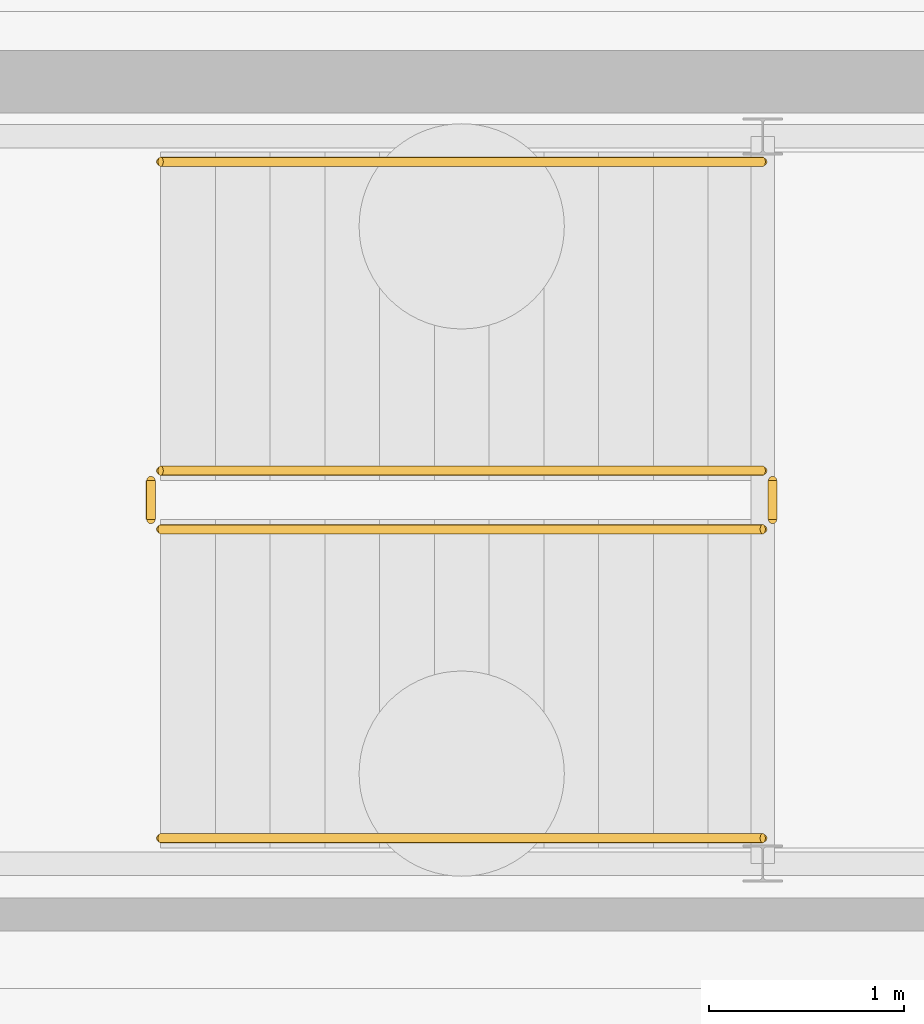
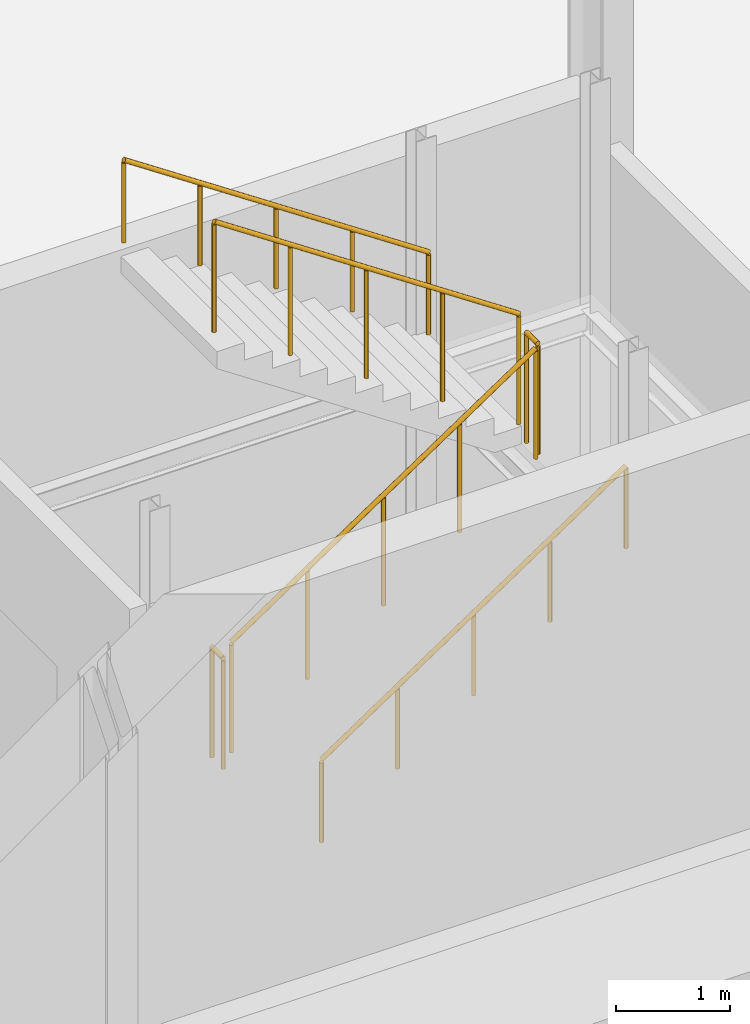
# One storey, part 45 of 47: 6 railings.
"""IFC4 building model written with IfcOpenShell, lengths in metres."""

from ifc_helpers import new_model, si_unit, direction, frame, origin, origin_2d, place, context, subcontext, project, spatial, circle, extrude, material, type_object, element, save


model = new_model("IFC4")

# Units and contexts
model_context = context("Model", 3, precision=1e-05, world=origin(), true_north=direction((0.0, 1.0)))
body_context = subcontext(model_context, "Body", "Model", "MODEL_VIEW")
ifc_project = project(units=[si_unit("LENGTHUNIT", "METRE"), si_unit("AREAUNIT", "SQUARE_METRE"), si_unit("VOLUMEUNIT", "CUBIC_METRE"), si_unit("PLANEANGLEUNIT", "RADIAN"), si_unit("MASSUNIT", "GRAM", prefix="KILO")], contexts=[model_context])

# Site, building, storey
site_placement = place(None, origin())
site = spatial("IfcSite", under=ifc_project, at=site_placement, CompositionType="ELEMENT")
building_placement = place(site_placement, origin())
building = spatial("IfcBuilding", under=site, at=building_placement, Name="Alderhovde Museum", CompositionType="ELEMENT")
storey_placement = place(building_placement, frame((0.0, 0.0, -4.5)))
storey = spatial("IfcBuildingStorey", under=building, at=storey_placement, Name="B1", CompositionType="ELEMENT", Elevation=-4.5)

# Railings
ifc_material_1 = material(Name="Painted Steel S355 Guardrail", Category="steel")
railing_type_1 = type_object("IfcRailingType", Name="RL-GUARD-1200", PredefinedType="GUARDRAIL", material=ifc_material_1)
railing_1_placement = place(storey_placement, frame((127.679931640625, 74.830078125, 0.1875)))
element("IfcRailing", 1, at=railing_1_placement, inside=storey, type_object=railing_type_1, Name="B1 ST4 stair guard 1", PredefinedType="GUARDRAIL", context=body_context, shape_type="SweptSolid", body=[
    extrude(circle(Radius=0.02392578125, at=origin_2d()), frame((0.0, 0.0, 1.17578125), z_axis=(0.830913701846, 0.0, 0.55640131208), x_axis=(0.0, 1.0, 0.0)), (0.0, 0.0, 1.0), 3.706787109375),
    extrude(circle(Radius=0.02099609375, at=origin_2d()), origin(), (0.0, 0.0, 1.0), 1.15185546875),
    extrude(circle(Radius=0.02099609375, at=origin_2d()), frame((0.77001953125, 0.0, 0.515625)), (0.0, 0.0, 1.0), 1.15185546875),
    extrude(circle(Radius=0.02099609375, at=origin_2d()), frame((1.5400390625, 0.0, 1.03125)), (0.0, 0.0, 1.0), 1.15185546875),
    extrude(circle(Radius=0.02099609375, at=origin_2d()), frame((2.31005859375, 0.0, 1.546875)), (0.0, 0.0, 1.0), 1.15185546875),
    extrude(circle(Radius=0.02099609375, at=origin_2d()), frame((3.080078125, 0.0, 2.0625)), (0.0, 0.0, 1.0), 1.15185546875),
])
railing_2_placement = place(storey_placement, frame((130.81005859375, 74.8798828125, 2.25)))
element("IfcRailing", 2, at=railing_2_placement, inside=storey, type_object=railing_type_1, Name="B1 ST4 stair guard 2", PredefinedType="GUARDRAIL", context=body_context, shape_type="SweptSolid", body=[
    extrude(circle(Radius=0.02392578125, at=origin_2d()), frame((0.0, 0.0, 1.17578125), z_axis=(0.0, 1.0, 0.0), x_axis=(-1.0, 0.0, 0.0)), (0.0, 0.0, 1.0), 0.2001953125),
    extrude(circle(Radius=0.02099609375, at=origin_2d()), origin(), (0.0, 0.0, 1.0), 1.15185546875),
    extrude(circle(Radius=0.02099609375, at=origin_2d()), frame((0.0, 0.2001953125, 0.0)), (0.0, 0.0, 1.0), 1.15185546875),
])
railing_3_placement = place(storey_placement, frame((130.760009765625, 75.1298828125, 2.4375)))
element("IfcRailing", 3, at=railing_3_placement, inside=storey, type_object=railing_type_1, Name="B1 ST4 stair guard 3", PredefinedType="GUARDRAIL", context=body_context, shape_type="SweptSolid", body=[
    extrude(circle(Radius=0.02392578125, at=origin_2d()), frame((0.0, 0.0, 1.17578125), z_axis=(-0.830913701846, 0.0, 0.55640131208), x_axis=(0.0, -1.0, 0.0)), (0.0, 0.0, 1.0), 3.706787109375),
    extrude(circle(Radius=0.02099609375, at=origin_2d()), origin(), (0.0, 0.0, 1.0), 1.15185546875),
    extrude(circle(Radius=0.02099609375, at=origin_2d()), frame((-0.77001953125, 0.0, 0.515625)), (0.0, 0.0, 1.0), 1.15185546875),
    extrude(circle(Radius=0.02099609375, at=origin_2d()), frame((-1.5400390625, 0.0, 1.03125)), (0.0, 0.0, 1.0), 1.15185546875),
    extrude(circle(Radius=0.02099609375, at=origin_2d()), frame((-2.31005859375, 0.0, 1.546875)), (0.0, 0.0, 1.0), 1.15185546875),
    extrude(circle(Radius=0.02099609375, at=origin_2d()), frame((-3.080078125, 0.0, 2.0625)), (0.0, 0.0, 1.0), 1.15185546875),
])
railing_4_placement = place(storey_placement, frame((127.6298828125, 74.8798828125, 0.0)))
element("IfcRailing", 4, at=railing_4_placement, inside=storey, type_object=railing_type_1, Name="B1 ST4 stair guard 4", PredefinedType="GUARDRAIL", context=body_context, shape_type="SweptSolid", body=[
    extrude(circle(Radius=0.02392578125, at=origin_2d()), frame((0.0, 0.0, 1.17578125), z_axis=(0.0, 1.0, 0.0), x_axis=(-1.0, 0.0, 0.0)), (0.0, 0.0, 1.0), 0.2001953125),
    extrude(circle(Radius=0.02099609375, at=origin_2d()), origin(), (0.0, 0.0, 1.0), 1.15185546875),
    extrude(circle(Radius=0.02099609375, at=origin_2d()), frame((0.0, 0.2001953125, 0.0)), (0.0, 0.0, 1.0), 1.15185546875),
])
ifc_material_2 = material(Name="Brushed Stainless Steel Handrail", Category="steel")
railing_type_2 = type_object("IfcRailingType", Name="RL-HANDRAIL-900", PredefinedType="HANDRAIL", material=ifc_material_2)
railing_5_placement = place(storey_placement, frame((127.679931640625, 73.25, 0.1875)))
element("IfcRailing", 5, at=railing_5_placement, inside=storey, type_object=railing_type_2, Name="B1 ST4 stair handrail 1", PredefinedType="HANDRAIL", context=body_context, shape_type="SweptSolid", body=[
    extrude(circle(Radius=0.02392578125, at=origin_2d()), frame((0.0, 0.0, 0.8759765625), z_axis=(0.830913701846, 0.0, 0.55640131208), x_axis=(0.0, 1.0, 0.0)), (0.0, 0.0, 1.0), 3.706787109375),
    extrude(circle(Radius=0.02099609375, at=origin_2d()), origin(), (0.0, 0.0, 1.0), 0.851806640625),
    extrude(circle(Radius=0.02099609375, at=origin_2d()), frame((0.77001953125, 0.0, 0.515625)), (0.0, 0.0, 1.0), 0.851806640625),
    extrude(circle(Radius=0.02099609375, at=origin_2d()), frame((1.5400390625, 0.0, 1.03125)), (0.0, 0.0, 1.0), 0.851806640625),
    extrude(circle(Radius=0.02099609375, at=origin_2d()), frame((2.31005859375, 0.0, 1.546875)), (0.0, 0.0, 1.0), 0.851806640625),
    extrude(circle(Radius=0.02099609375, at=origin_2d()), frame((3.080078125, 0.0, 2.0625)), (0.0, 0.0, 1.0), 0.851806640625),
])
railing_6_placement = place(storey_placement, frame((130.760009765625, 76.7099609375, 2.4375)))
element("IfcRailing", 6, at=railing_6_placement, inside=storey, type_object=railing_type_2, Name="B1 ST4 stair handrail 2", PredefinedType="HANDRAIL", context=body_context, shape_type="SweptSolid", body=[
    extrude(circle(Radius=0.02392578125, at=origin_2d()), frame((0.0, 0.0, 0.8759765625), z_axis=(-0.830913701846, 0.0, 0.55640131208), x_axis=(0.0, -1.0, 0.0)), (0.0, 0.0, 1.0), 3.706787109375),
    extrude(circle(Radius=0.02099609375, at=origin_2d()), origin(), (0.0, 0.0, 1.0), 0.851806640625),
    extrude(circle(Radius=0.02099609375, at=origin_2d()), frame((-0.77001953125, 0.0, 0.515625)), (0.0, 0.0, 1.0), 0.851806640625),
    extrude(circle(Radius=0.02099609375, at=origin_2d()), frame((-1.5400390625, 0.0, 1.03125)), (0.0, 0.0, 1.0), 0.851806640625),
    extrude(circle(Radius=0.02099609375, at=origin_2d()), frame((-2.31005859375, 0.0, 1.546875)), (0.0, 0.0, 1.0), 0.851806640625),
    extrude(circle(Radius=0.02099609375, at=origin_2d()), frame((-3.080078125, 0.0, 2.0625)), (0.0, 0.0, 1.0), 0.851806640625),
])

save(model, "model.ifc")
